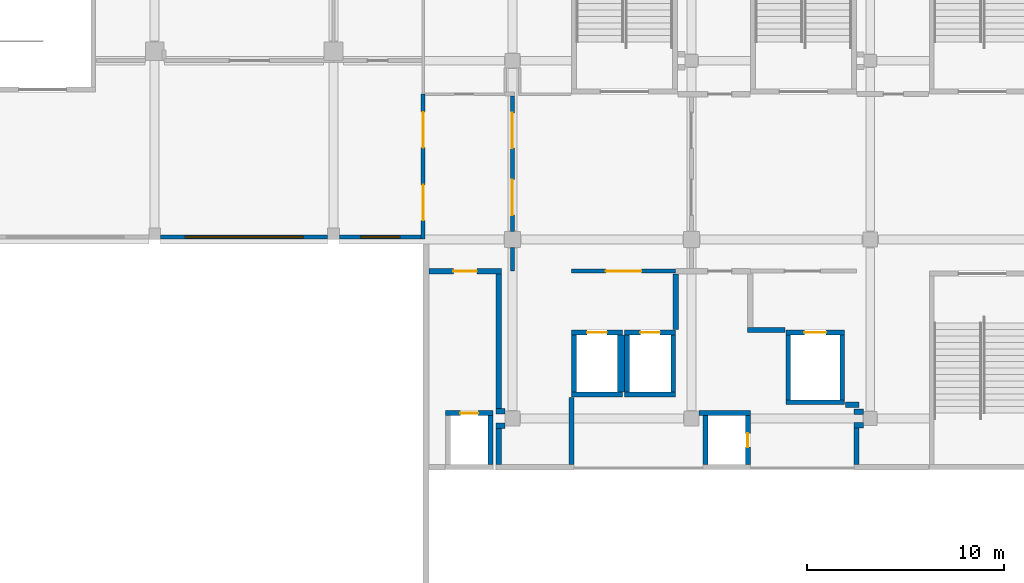
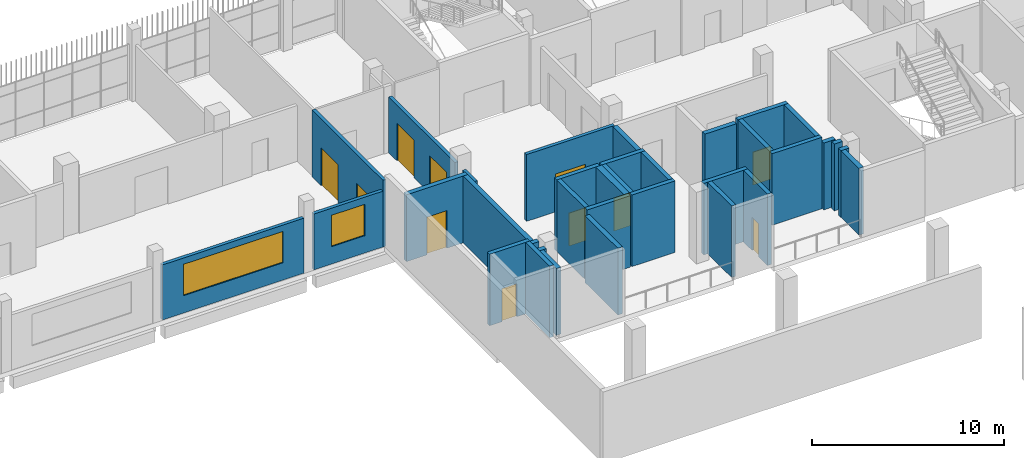
# One storey, part 64 of 104: 35 walls, 11 doors, 2 windows, 13 openings.
"""IFC4 building model written with IfcOpenShell, lengths in metres."""

from ifc_helpers import new_model, si_unit, direction, frame, frame_2d, origin, place, context, subcontext, project, spatial, rectangle, extrude, material, layer, layer_set, type_object, element, fill, save


model = new_model("IFC4")

# Units and contexts
model_context = context("Model", 3, precision=1e-05, world=origin(), true_north=direction((0.0, 1.0)))
body_context = subcontext(model_context, "Body", "Model", "MODEL_VIEW")
ifc_project = project(units=[si_unit("LENGTHUNIT", "METRE"), si_unit("AREAUNIT", "SQUARE_METRE"), si_unit("VOLUMEUNIT", "CUBIC_METRE"), si_unit("PLANEANGLEUNIT", "RADIAN"), si_unit("MASSUNIT", "GRAM", prefix="KILO")], contexts=[model_context])

# Site, building, storey
site_placement = place(None, origin())
site = spatial("IfcSite", under=ifc_project, at=site_placement, CompositionType="ELEMENT")
building_placement = place(site_placement, origin())
building = spatial("IfcBuilding", under=site, at=building_placement, Name="Shirokan Park Arena", CompositionType="ELEMENT")
storey_placement = place(building_placement, frame((0.0, 0.0, 10.919921875)))
storey = spatial("IfcBuildingStorey", under=building, at=storey_placement, Name="L02", CompositionType="ELEMENT", Elevation=10.919921875)

# Wall, opening, window
ifc_material_1 = material(Name="Cedar timber lining", Category="wood")
ifc_layer_1 = layer(ifc_material_1, 0.02001953125, Name="Cedar timber lining")
ifc_material_2 = material(Name="Plywood", Category="wood")
ifc_layer_2 = layer(ifc_material_2, 0.01806640625, Name="Plywood")
ifc_material_3 = material(Name="Mineral wool insulation")
ifc_layer_3 = layer(ifc_material_3, 0.14208984375, Name="Mineral wool insulation")
ifc_material_4 = material(Name="Gypsum board")
ifc_layer_4 = layer(ifc_material_4, 0.02001953125, Name="Gypsum board")
ifc_layer_set_1 = layer_set([ifc_layer_1, ifc_layer_2, ifc_layer_3, ifc_layer_4], Name="Cedar timber lining + Plywood + Mineral wool insulation + Gypsum board")
wall_type_1 = type_object("IfcWallType", Name="Bowl front wall 200", PredefinedType="PARTITIONING", material=ifc_layer_set_1)
wall_1_placement = place(storey_placement, frame((104.550048828125, 91.1298828125, 0.0), z_axis=(0.0, 0.0, 1.0), x_axis=(-1.0, 0.0, 0.0)))
wall_1 = element("IfcWall", 1, at=wall_1_placement, inside=storey, type_object=wall_type_1, Name="Bowl front wall 200 L02", PredefinedType="PARTITIONING", context=body_context, shape_type="SweptSolid", body=[
    extrude(rectangle(XDim=4.150146484375, YDim=0.199951171875, at=frame_2d((2.0751953125, 0.0))), origin(), (0.0, 0.0, 1.0), 3.550048828125),
])
opening_1_placement = place(wall_1_placement, frame((1.074951171875, 0.0, 1.10009765625)))
opening_1 = element("IfcOpeningElement", 2, at=opening_1_placement, cuts=wall_1, Name="Opening W5", PredefinedType="OPENING", context=body_context, shape_type="SweptSolid", body=[
    extrude(rectangle(XDim=2.0, YDim=2.0, at=frame_2d((1.0, 1.0))), frame((0.0, 0.10986328125, 0.0), z_axis=(0.0, -1.0, 0.0), x_axis=(1.0, 0.0, 0.0)), (0.0, 0.0, 1.0), 0.219970703125),
])
ifc_material_5 = material(Name="Aluminium frame with laminated glass", Category="aluminium")
window_type_1 = type_object("IfcWindowType", Name="Lounge viewing window 2000 x 2000", PartitioningType="SINGLE_PANEL", PredefinedType="WINDOW", material=ifc_material_5)
window_1_placement = place(opening_1_placement, origin())
window_1 = element("IfcWindow", 3, at=window_1_placement, inside=storey, type_object=window_type_1, Name="Lounge viewing window 2000 x 2000 L02", OverallHeight=2.0, OverallWidth=2.0, PartitioningType="SINGLE_PANEL", PredefinedType="WINDOW", context=body_context, shape_type="SweptSolid", body=[
    extrude(rectangle(XDim=2.0, YDim=2.0, at=frame_2d((1.0, 1.0))), frame((0.0, 0.030029296875, 0.0), z_axis=(0.0, -1.0, 0.0), x_axis=(1.0, 0.0, 0.0)), (0.0, 0.0, 1.0), 0.06005859375),
])
fill(opening_1, window_1)

wall_2_placement = place(storey_placement, frame((99.800048828125, 91.1298828125, 0.0), z_axis=(0.0, 0.0, 1.0), x_axis=(-1.0, 0.0, 0.0)))
wall_2 = element("IfcWall", 4, at=wall_2_placement, inside=storey, type_object=wall_type_1, Name="Bowl front wall 200 L02", PredefinedType="PARTITIONING", context=body_context, shape_type="SweptSolid", body=[
    extrude(rectangle(XDim=8.5, YDim=0.199951171875, at=frame_2d((4.25, 0.0))), origin(), (0.0, 0.0, 1.0), 3.5),
])
opening_2_placement = place(wall_2_placement, frame((1.25, 0.0, 1.10009765625)))
opening_2 = element("IfcOpeningElement", 5, at=opening_2_placement, cuts=wall_2, Name="Opening W6", PredefinedType="OPENING", context=body_context, shape_type="SweptSolid", body=[
    extrude(rectangle(XDim=6.0, YDim=2.0, at=frame_2d((3.0, 1.0))), frame((0.0, 0.10986328125, 0.0), z_axis=(0.0, -1.0, 0.0), x_axis=(1.0, 0.0, 0.0)), (0.0, 0.0, 1.0), 0.219970703125),
])
window_type_2 = type_object("IfcWindowType", Name="Lounge viewing window 6000 x 2000", PartitioningType="SINGLE_PANEL", PredefinedType="WINDOW", material=ifc_material_5)
window_2_placement = place(opening_2_placement, origin())
window_2 = element("IfcWindow", 6, at=window_2_placement, inside=storey, type_object=window_type_2, Name="Lounge viewing window 6000 x 2000 L02", OverallHeight=2.0, OverallWidth=6.0, PartitioningType="SINGLE_PANEL", PredefinedType="WINDOW", context=body_context, shape_type="SweptSolid", body=[
    extrude(rectangle(XDim=6.0, YDim=2.0, at=frame_2d((3.0, 1.0))), frame((0.0, 0.030029296875, 0.0), z_axis=(0.0, -1.0, 0.0), x_axis=(1.0, 0.0, 0.0)), (0.0, 0.0, 1.0), 0.06005859375),
])
fill(opening_2, window_2)

# Wall, openings, doors
ifc_layer_5 = layer(ifc_material_4, 0.02490234375, Name="Gypsum board, two layers")
ifc_layer_6 = layer(ifc_material_3, 0.14990234375, Name="Mineral wool insulation")
ifc_layer_7 = layer(ifc_material_4, 0.02490234375, Name="Gypsum board, two layers")
ifc_layer_set_2 = layer_set([ifc_layer_5, ifc_layer_6, ifc_layer_7], Name="Gypsum board, two layers + Mineral wool insulation")
wall_type_2 = type_object("IfcWallType", Name="Corridor wall 200", PredefinedType="PARTITIONING", material=ifc_layer_set_2)
wall_3_placement = place(storey_placement, frame((104.64990234375, 91.030029296875, 0.0), z_axis=(0.0, 0.0, 1.0), x_axis=(0.0, 1.0, 0.0)))
wall_3 = element("IfcWall", 7, at=wall_3_placement, inside=storey, type_object=wall_type_2, Name="Corridor wall 200 L02", PredefinedType="PARTITIONING", context=body_context, shape_type="SweptSolid", body=[
    extrude(rectangle(XDim=7.369873046875, YDim=0.199951171875, at=frame_2d((3.68505859375, 0.0))), origin(), (0.0, 0.0, 1.0), 4.25),
])
opening_3_placement = place(wall_3_placement, frame((0.949951171875, 0.0, 0.0)))
opening_3 = element("IfcOpeningElement", 8, at=opening_3_placement, cuts=wall_3, Name="Opening D-2071", PredefinedType="OPENING", context=body_context, shape_type="SweptSolid", body=[
    extrude(rectangle(XDim=1.800048828125, YDim=2.39990234375, at=frame_2d((0.89990234375, 1.199951171875))), frame((0.0, 0.10986328125, 0.0), z_axis=(0.0, -1.0, 0.0), x_axis=(1.0, 0.0, 0.0)), (0.0, 0.0, 1.0), 0.219970703125),
])
opening_4_placement = place(wall_3_placement, frame((4.64990234375, 0.0, 0.0)))
opening_4 = element("IfcOpeningElement", 9, at=opening_4_placement, cuts=wall_3, Name="Opening D-2072", PredefinedType="OPENING", context=body_context, shape_type="SweptSolid", body=[
    extrude(rectangle(XDim=1.800048828125, YDim=2.39990234375, at=frame_2d((0.89990234375, 1.199951171875))), frame((0.0, 0.10986328125, 0.0), z_axis=(0.0, -1.0, 0.0), x_axis=(1.0, 0.0, 0.0)), (0.0, 0.0, 1.0), 0.219970703125),
])
ifc_material_6 = material(Name="Glazed steel door set, fire resisting", Category="steel")
door_type_1 = type_object("IfcDoorType", Name="Lift lobby door 1800 x 2400", OperationType="DOUBLE_DOOR_SINGLE_SWING", PredefinedType="DOOR", material=ifc_material_6)
door_1_placement = place(opening_3_placement, origin())
door_1 = element("IfcDoor", 10, at=door_1_placement, inside=storey, type_object=door_type_1, Name="Door between Stair Lobby 3.2.4 and Club Lounge 2.03 D-2071", OperationType="DOUBLE_DOOR_SINGLE_SWING", OverallHeight=2.39990234375, OverallWidth=1.800048828125, PredefinedType="DOOR", context=body_context, shape_type="SweptSolid", body=[
    extrude(rectangle(XDim=1.800048828125, YDim=2.39990234375, at=frame_2d((0.89990234375, 1.199951171875))), frame((0.0, 0.02490234375, 0.0), z_axis=(0.0, -1.0, 0.0), x_axis=(1.0, 0.0, 0.0)), (0.0, 0.0, 1.0), 0.050048828125),
])
fill(opening_3, door_1)
door_2_placement = place(opening_4_placement, origin())
door_2 = element("IfcDoor", 11, at=door_2_placement, inside=storey, type_object=door_type_1, Name="Door between Stair Lobby 3.2.4 and Club Lounge 2.03 D-2072", OperationType="DOUBLE_DOOR_SINGLE_SWING", OverallHeight=2.39990234375, OverallWidth=1.800048828125, PredefinedType="DOOR", context=body_context, shape_type="SweptSolid", body=[
    extrude(rectangle(XDim=1.800048828125, YDim=2.39990234375, at=frame_2d((0.89990234375, 1.199951171875))), frame((0.0, 0.02490234375, 0.0), z_axis=(0.0, -1.0, 0.0), x_axis=(1.0, 0.0, 0.0)), (0.0, 0.0, 1.0), 0.050048828125),
])
fill(opening_4, door_2)

# Wall
wall_4_placement = place(storey_placement, frame((109.199951171875, 89.39990234375, 0.0), z_axis=(0.0, 0.0, 1.0), x_axis=(0.0, 1.0, 0.0)))
element("IfcWall", 12, at=wall_4_placement, inside=storey, type_object=wall_type_2, Name="Corridor wall 200 L02", PredefinedType="PARTITIONING", context=body_context, shape_type="SweptSolid", body=[
    extrude(rectangle(XDim=1.2001953125, YDim=0.199951171875, at=frame_2d((0.60009765625, 0.0))), origin(), (0.0, 0.0, 1.0), 3.550048828125),
])

# Wall, openings, doors
wall_5_placement = place(storey_placement, frame((109.199951171875, 91.39990234375, 0.0), z_axis=(0.0, 0.0, 1.0), x_axis=(0.0, 1.0, 0.0)))
wall_5 = element("IfcWall", 13, at=wall_5_placement, inside=storey, type_object=wall_type_2, Name="Corridor wall 200 L02", PredefinedType="PARTITIONING", context=body_context, shape_type="SweptSolid", body=[
    extrude(rectangle(XDim=6.900146484375, YDim=0.199951171875, at=frame_2d((3.4501953125, 0.0))), origin(), (0.0, 0.0, 1.0), 3.550048828125),
])
opening_5_placement = place(wall_5_placement, frame((0.85009765625, 0.0, 0.0)))
opening_5 = element("IfcOpeningElement", 14, at=opening_5_placement, cuts=wall_5, Name="Opening D-2068", PredefinedType="OPENING", context=body_context, shape_type="SweptSolid", body=[
    extrude(rectangle(XDim=1.800048828125, YDim=2.39990234375, at=frame_2d((0.89990234375, 1.199951171875))), frame((0.0, 0.10986328125, 0.0), z_axis=(0.0, -1.0, 0.0), x_axis=(1.0, 0.0, 0.0)), (0.0, 0.0, 1.0), 0.219970703125),
])
opening_6_placement = place(wall_5_placement, frame((4.25, 0.0, 0.0)))
opening_6 = element("IfcOpeningElement", 15, at=opening_6_placement, cuts=wall_5, Name="Opening D-2069", PredefinedType="OPENING", context=body_context, shape_type="SweptSolid", body=[
    extrude(rectangle(XDim=1.800048828125, YDim=2.39990234375, at=frame_2d((0.89990234375, 1.199951171875))), frame((0.0, 0.10986328125, 0.0), z_axis=(0.0, -1.0, 0.0), x_axis=(1.0, 0.0, 0.0)), (0.0, 0.0, 1.0), 0.219970703125),
])
door_3_placement = place(opening_5_placement, origin())
door_3 = element("IfcDoor", 16, at=door_3_placement, inside=storey, type_object=door_type_1, Name="Door between Club Reception 3.2.3 and Stair Lobby 3.2.4 D-2068", OperationType="DOUBLE_DOOR_SINGLE_SWING", OverallHeight=2.39990234375, OverallWidth=1.800048828125, PredefinedType="DOOR", context=body_context, shape_type="SweptSolid", body=[
    extrude(rectangle(XDim=1.800048828125, YDim=2.39990234375, at=frame_2d((0.89990234375, 1.199951171875))), frame((0.0, 0.02490234375, 0.0), z_axis=(0.0, -1.0, 0.0), x_axis=(1.0, 0.0, 0.0)), (0.0, 0.0, 1.0), 0.050048828125),
])
fill(opening_5, door_3)
door_4_placement = place(opening_6_placement, origin())
door_4 = element("IfcDoor", 17, at=door_4_placement, inside=storey, type_object=door_type_1, Name="Door between Club Reception 3.2.3 and Stair Lobby 3.2.4 D-2069", OperationType="DOUBLE_DOOR_SINGLE_SWING", OverallHeight=2.39990234375, OverallWidth=1.800048828125, PredefinedType="DOOR", context=body_context, shape_type="SweptSolid", body=[
    extrude(rectangle(XDim=1.800048828125, YDim=2.39990234375, at=frame_2d((0.89990234375, 1.199951171875))), frame((0.0, 0.02490234375, 0.0), z_axis=(0.0, -1.0, 0.0), x_axis=(1.0, 0.0, 0.0)), (0.0, 0.0, 1.0), 0.050048828125),
])
fill(opening_6, door_4)

# Wall, opening, door
wall_6_placement = place(storey_placement, frame((117.5, 89.39990234375, 0.0), z_axis=(0.0, 0.0, 1.0), x_axis=(-1.0, 0.0, 0.0)))
wall_6 = element("IfcWall", 18, at=wall_6_placement, inside=storey, type_object=wall_type_2, Name="Corridor wall 200 L02", PredefinedType="PARTITIONING", context=body_context, shape_type="SweptSolid", body=[
    extrude(rectangle(XDim=5.300048828125, YDim=0.199951171875, at=frame_2d((2.64990234375, 0.0))), origin(), (0.0, 0.0, 1.0), 4.25),
])
opening_7_placement = place(wall_6_placement, frame((1.75, 0.0, 0.0)))
opening_7 = element("IfcOpeningElement", 19, at=opening_7_placement, cuts=wall_6, Name="Opening D-2070", PredefinedType="OPENING", context=body_context, shape_type="SweptSolid", body=[
    extrude(rectangle(XDim=1.800048828125, YDim=2.39990234375, at=frame_2d((0.89990234375, 1.199951171875))), frame((0.0, 0.10986328125, 0.0), z_axis=(0.0, -1.0, 0.0), x_axis=(1.0, 0.0, 0.0)), (0.0, 0.0, 1.0), 0.219970703125),
])
door_5_placement = place(opening_7_placement, origin())
door_5 = element("IfcDoor", 20, at=door_5_placement, inside=storey, type_object=door_type_1, Name="Door between Club Reception 3.2.3 and Lift Lobby 3.2 D-2070", OperationType="DOUBLE_DOOR_SINGLE_SWING", OverallHeight=2.39990234375, OverallWidth=1.800048828125, PredefinedType="DOOR", context=body_context, shape_type="SweptSolid", body=[
    extrude(rectangle(XDim=1.800048828125, YDim=2.39990234375, at=frame_2d((0.89990234375, 1.199951171875))), frame((0.0, 0.02490234375, 0.0), z_axis=(0.0, -1.0, 0.0), x_axis=(1.0, 0.0, 0.0)), (0.0, 0.0, 1.0), 0.050048828125),
])
fill(opening_7, door_5)

# Walls
ifc_material_7 = material(Name="Plaster")
ifc_layer_8 = layer(ifc_material_7, 0.012451171875, Name="Plaster")
ifc_material_8 = material(Name="Concrete blockwork", Category="masonry")
ifc_layer_9 = layer(ifc_material_8, 0.25, Name="Concrete blockwork 250")
ifc_layer_10 = layer(ifc_material_7, 0.012451171875, Name="Plaster")
ifc_layer_set_3 = layer_set([ifc_layer_8, ifc_layer_9, ifc_layer_10], Name="Plaster + Concrete blockwork 250")
wall_type_3 = type_object("IfcWallType", Name="Plant room wall 275", PredefinedType="SOLIDWALL", material=ifc_layer_set_3)
wall_7_placement = place(storey_placement, frame((108.362548828125, 81.52490234375, 0.0), z_axis=(0.0, 0.0, 1.0), x_axis=(1.0, 0.0, 0.0)))
element("IfcWall", 21, at=wall_7_placement, inside=storey, type_object=wall_type_3, Name="Plant room wall 275 L02", PredefinedType="SOLIDWALL", context=body_context, shape_type="SweptSolid", body=[
    extrude(rectangle(XDim=0.46240234375, YDim=0.27490234375, at=frame_2d((0.231201171875, 0.0))), origin(), (0.0, 0.0, 1.0), 4.25),
])
wall_8_placement = place(storey_placement, frame((108.5, 79.5625, 0.0), z_axis=(0.0, 0.0, 1.0), x_axis=(0.0, 1.0, 0.0)))
element("IfcWall", 22, at=wall_8_placement, inside=storey, type_object=wall_type_3, Name="Plant room wall 275 L02", PredefinedType="SOLIDWALL", context=body_context, shape_type="SweptSolid", body=[
    extrude(rectangle(XDim=1.824951171875, YDim=0.27490234375, at=frame_2d((0.91259765625, 0.0))), origin(), (0.0, 0.0, 1.0), 4.25),
])
wall_9_placement = place(storey_placement, frame((108.5, 82.41259765625, 0.0), z_axis=(0.0, 0.0, 1.0), x_axis=(0.0, 1.0, 0.0)))
element("IfcWall", 23, at=wall_9_placement, inside=storey, type_object=wall_type_3, Name="Plant room wall 275 L02", PredefinedType="SOLIDWALL", context=body_context, shape_type="SweptSolid", body=[
    extrude(rectangle(XDim=6.849853515625, YDim=0.27490234375, at=frame_2d((3.4248046875, 0.0))), origin(), (0.0, 0.0, 1.0), 4.25),
])

# Wall, opening, door
wall_10_placement = place(storey_placement, frame((108.637451171875, 89.39990234375, 0.0), z_axis=(0.0, 0.0, 1.0), x_axis=(-1.0, 0.0, 0.0)))
wall_10 = element("IfcWall", 24, at=wall_10_placement, inside=storey, type_object=wall_type_3, Name="Plant room wall 275 L02", PredefinedType="SOLIDWALL", context=body_context, shape_type="SweptSolid", body=[
    extrude(rectangle(XDim=3.6875, YDim=0.27490234375, at=frame_2d((1.84375, 0.0))), origin(), (0.0, 0.0, 1.0), 4.25),
])
opening_8_placement = place(wall_10_placement, frame((1.25, 0.0, 0.0)))
opening_8 = element("IfcOpeningElement", 25, at=opening_8_placement, cuts=wall_10, Name="Opening D-2019", PredefinedType="OPENING", context=body_context, shape_type="SweptSolid", body=[
    extrude(rectangle(XDim=1.199951171875, YDim=2.39990234375, at=frame_2d((0.60009765625, 1.199951171875))), frame((0.0, 0.1474609375, 0.0), z_axis=(0.0, -1.0, 0.0), x_axis=(1.0, 0.0, 0.0)), (0.0, 0.0, 1.0), 0.294921875),
])
ifc_material_9 = material(Name="Louvred steel door set, fire resisting", Category="steel")
door_type_2 = type_object("IfcDoorType", Name="Plant room door 1200 x 2400", OperationType="SINGLE_SWING_LEFT", PredefinedType="DOOR", material=ifc_material_9)
door_6_placement = place(opening_8_placement, origin())
door_6 = element("IfcDoor", 26, at=door_6_placement, inside=storey, type_object=door_type_2, Name="Door to Communications Room 2.39 D-2019", OperationType="SINGLE_SWING_LEFT", OverallHeight=2.39990234375, OverallWidth=1.199951171875, PredefinedType="DOOR", context=body_context, shape_type="SweptSolid", body=[
    extrude(rectangle(XDim=1.199951171875, YDim=2.39990234375, at=frame_2d((0.60009765625, 1.199951171875))), frame((0.0, 0.02490234375, 0.0), z_axis=(0.0, -1.0, 0.0), x_axis=(1.0, 0.0, 0.0)), (0.0, 0.0, 1.0), 0.050048828125),
])
fill(opening_8, door_6)

# Walls
wall_11_placement = place(storey_placement, frame((108.824951171875, 82.27490234375, 0.0), z_axis=(0.0, 0.0, 1.0), x_axis=(-1.0, 0.0, 0.0)))
element("IfcWall", 27, at=wall_11_placement, inside=storey, type_object=wall_type_3, Name="Plant room wall 275 L02", PredefinedType="SOLIDWALL", context=body_context, shape_type="SweptSolid", body=[
    extrude(rectangle(XDim=0.46240234375, YDim=0.27490234375, at=frame_2d((0.231201171875, 0.0))), origin(), (0.0, 0.0, 1.0), 4.25),
])
wall_12_placement = place(storey_placement, frame((112.199951171875, 79.5625, 0.0), z_axis=(0.0, 0.0, 1.0), x_axis=(0.0, 1.0, 0.0)))
element("IfcWall", 28, at=wall_12_placement, inside=storey, type_object=wall_type_3, Name="Plant room wall 275 L02", PredefinedType="SOLIDWALL", context=body_context, shape_type="SweptSolid", body=[
    extrude(rectangle(XDim=3.407470703125, YDim=0.27490234375, at=frame_2d((1.70361328125, 0.0))), origin(), (0.0, 0.0, 1.0), 4.25),
])
wall_13_placement = place(storey_placement, frame((117.5, 86.429931640625, 0.0), z_axis=(0.0, 0.0, 1.0), x_axis=(0.0, 1.0, 0.0)))
element("IfcWall", 29, at=wall_13_placement, inside=storey, type_object=wall_type_3, Name="Plant room wall 275 L02", PredefinedType="SOLIDWALL", context=body_context, shape_type="SweptSolid", body=[
    extrude(rectangle(XDim=2.83251953125, YDim=0.27490234375, at=frame_2d((1.416259765625, 0.0))), origin(), (0.0, 0.0, 1.0), 4.25),
])
wall_14_placement = place(storey_placement, frame((121.16259765625, 86.39990234375, 0.0), z_axis=(0.0, 0.0, 1.0), x_axis=(1.0, 0.0, 0.0)))
element("IfcWall", 30, at=wall_14_placement, inside=storey, type_object=wall_type_3, Name="Plant room wall 275 L02", PredefinedType="SOLIDWALL", context=body_context, shape_type="SweptSolid", body=[
    extrude(rectangle(XDim=1.907470703125, YDim=0.27490234375, at=frame_2d((0.95361328125, 0.0))), origin(), (0.0, 0.0, 1.0), 4.25),
])
wall_15_placement = place(storey_placement, frame((126.1298828125, 82.60009765625, 0.0), z_axis=(0.0, 0.0, 1.0), x_axis=(1.0, 0.0, 0.0)))
element("IfcWall", 31, at=wall_15_placement, inside=storey, type_object=wall_type_3, Name="Plant room wall 275 L02", PredefinedType="SOLIDWALL", context=body_context, shape_type="SweptSolid", body=[
    extrude(rectangle(XDim=0.70751953125, YDim=0.27490234375, at=frame_2d((0.353759765625, 0.0))), origin(), (0.0, 0.0, 1.0), 4.25),
])
wall_16_placement = place(storey_placement, frame((126.5625, 81.550048828125, 0.0), z_axis=(0.0, 0.0, 1.0), x_axis=(1.0, 0.0, 0.0)))
element("IfcWall", 32, at=wall_16_placement, inside=storey, type_object=wall_type_3, Name="Plant room wall 275 L02", PredefinedType="SOLIDWALL", context=body_context, shape_type="SweptSolid", body=[
    extrude(rectangle(XDim=0.487548828125, YDim=0.27490234375, at=frame_2d((0.24365234375, 0.0))), origin(), (0.0, 0.0, 1.0), 4.25),
])
wall_17_placement = place(storey_placement, frame((126.699951171875, 79.5625, 0.0), z_axis=(0.0, 0.0, 1.0), x_axis=(0.0, 1.0, 0.0)))
element("IfcWall", 33, at=wall_17_placement, inside=storey, type_object=wall_type_3, Name="Plant room wall 275 L02", PredefinedType="SOLIDWALL", context=body_context, shape_type="SweptSolid", body=[
    extrude(rectangle(XDim=1.85009765625, YDim=0.27490234375, at=frame_2d((0.925048828125, 0.0))), origin(), (0.0, 0.0, 1.0), 4.25),
])
wall_18_placement = place(storey_placement, frame((127.050048828125, 82.25, 0.0), z_axis=(0.0, 0.0, 1.0), x_axis=(-1.0, 0.0, 0.0)))
element("IfcWall", 34, at=wall_18_placement, inside=storey, type_object=wall_type_3, Name="Plant room wall 275 L02", PredefinedType="SOLIDWALL", context=body_context, shape_type="SweptSolid", body=[
    extrude(rectangle(XDim=0.487548828125, YDim=0.27490234375, at=frame_2d((0.24365234375, 0.0))), origin(), (0.0, 0.0, 1.0), 4.25),
])
ifc_material_10 = material(Name="Concrete C40/50", Category="concrete")
ifc_layer_11 = layer(ifc_material_10, 0.25)
ifc_layer_set_4 = layer_set([ifc_layer_11], Name="Concrete C40/50 250 mm")
wall_type_4 = type_object("IfcWallType", Name="RC shear wall 250", PredefinedType="SHEAR", material=ifc_layer_set_4)
wall_19_placement = place(storey_placement, frame((117.5, 83.125, 0.0), z_axis=(0.0, 0.0, 1.0), x_axis=(-1.0, 0.0, 0.0)))
element("IfcWall", 35, at=wall_19_placement, inside=storey, type_object=wall_type_4, Name="Shaft wall Passenger Lift 3.1 S L02", PredefinedType="SHEAR", context=body_context, shape_type="SweptSolid", body=[
    extrude(rectangle(XDim=2.60009765625, YDim=0.25, at=frame_2d((1.300048828125, 0.0))), origin(), (0.0, 0.0, 1.0), 4.550048828125),
])

# Wall, opening, door
wall_20_placement = place(storey_placement, frame((117.5, 86.27490234375, 0.0), z_axis=(0.0, 0.0, 1.0), x_axis=(-1.0, 0.0, 0.0)))
wall_20 = element("IfcWall", 36, at=wall_20_placement, inside=storey, type_object=wall_type_4, Name="Shaft wall Passenger Lift 3.1 N L02", PredefinedType="SHEAR", context=body_context, shape_type="SweptSolid", body=[
    extrude(rectangle(XDim=2.60009765625, YDim=0.25, at=frame_2d((1.300048828125, 0.0))), origin(), (0.0, 0.0, 1.0), 4.550048828125),
])
opening_9_placement = place(wall_20_placement, frame((0.800048828125, 0.0, 0.0)))
opening_9 = element("IfcOpeningElement", 37, at=opening_9_placement, cuts=wall_20, Name="Opening LD27", PredefinedType="OPENING", context=body_context, shape_type="SweptSolid", body=[
    extrude(rectangle(XDim=1.0, YDim=2.10009765625, at=frame_2d((0.5, 1.050048828125))), frame((0.0, 0.135009765625, 0.0), z_axis=(0.0, -1.0, 0.0), x_axis=(1.0, 0.0, 0.0)), (0.0, 0.0, 1.0), 0.27001953125),
])
ifc_material_11 = material(Name="Stainless steel", Category="steel")
door_type_3 = type_object("IfcDoorType", Name="Lift landing door 1000x2100", OperationType="DOUBLE_DOOR_SLIDING", PredefinedType="DOOR", material=ifc_material_11)
door_7_placement = place(opening_9_placement, origin())
door_7 = element("IfcDoor", 38, at=door_7_placement, inside=storey, type_object=door_type_3, Name="Lift landing door Passenger Lift 3.1 L02", OperationType="DOUBLE_DOOR_SLIDING", OverallHeight=2.10009765625, OverallWidth=1.0, PredefinedType="DOOR", context=body_context, shape_type="SweptSolid", body=[
    extrude(rectangle(XDim=1.0, YDim=2.10009765625, at=frame_2d((0.5, 1.050048828125))), frame((0.0, 0.02490234375, 0.0), z_axis=(0.0, -1.0, 0.0), x_axis=(1.0, 0.0, 0.0)), (0.0, 0.0, 1.0), 0.050048828125),
])
fill(opening_9, door_7)

# Walls
for number, where, z_axis, x_axis, name in (
    (39, (115.02490234375, 86.14990234375, 0.0), (0.0, 0.0, 1.0), (0.0, -1.0, 0.0), "Shaft wall Passenger Lift 3.1 W L02"),
    (40, (117.375, 86.14990234375, 0.0), (0.0, 0.0, 1.0), (0.0, -1.0, 0.0), "Shaft wall Passenger Lift 3.1 E L02"),
):
    element("IfcWall", number, at=place(storey_placement, frame(where, z_axis=z_axis, x_axis=x_axis)), inside=storey, type_object=wall_type_4, Name=name, PredefinedType="SHEAR", context=body_context, shape_type="SweptSolid", body=[
        extrude(rectangle(XDim=2.89990234375, YDim=0.25, at=frame_2d((1.449951171875, 0.0))), origin(), (0.0, 0.0, 1.0), 4.550048828125),
    ])
wall_21_placement = place(storey_placement, frame((114.800048828125, 83.125, 0.0), z_axis=(0.0, 0.0, 1.0), x_axis=(-1.0, 0.0, 0.0)))
element("IfcWall", 41, at=wall_21_placement, inside=storey, type_object=wall_type_4, Name="Shaft wall Passenger Lift 3.2 S L02", PredefinedType="SHEAR", context=body_context, shape_type="SweptSolid", body=[
    extrude(rectangle(XDim=2.60009765625, YDim=0.25, at=frame_2d((1.300048828125, 0.0))), origin(), (0.0, 0.0, 1.0), 4.550048828125),
])

# Wall, opening, door
wall_22_placement = place(storey_placement, frame((114.800048828125, 86.27490234375, 0.0), z_axis=(0.0, 0.0, 1.0), x_axis=(-1.0, 0.0, 0.0)))
wall_22 = element("IfcWall", 42, at=wall_22_placement, inside=storey, type_object=wall_type_4, Name="Shaft wall Passenger Lift 3.2 N L02", PredefinedType="SHEAR", context=body_context, shape_type="SweptSolid", body=[
    extrude(rectangle(XDim=2.60009765625, YDim=0.25, at=frame_2d((1.300048828125, 0.0))), origin(), (0.0, 0.0, 1.0), 4.550048828125),
])
opening_10_placement = place(wall_22_placement, frame((0.800048828125, 0.0, 0.0)))
opening_10 = element("IfcOpeningElement", 43, at=opening_10_placement, cuts=wall_22, Name="Opening LD33", PredefinedType="OPENING", context=body_context, shape_type="SweptSolid", body=[
    extrude(rectangle(XDim=1.0, YDim=2.10009765625, at=frame_2d((0.5, 1.050048828125))), frame((0.0, 0.135009765625, 0.0), z_axis=(0.0, -1.0, 0.0), x_axis=(1.0, 0.0, 0.0)), (0.0, 0.0, 1.0), 0.27001953125),
])
door_8_placement = place(opening_10_placement, origin())
door_8 = element("IfcDoor", 44, at=door_8_placement, inside=storey, type_object=door_type_3, Name="Lift landing door Passenger Lift 3.2 L02", OperationType="DOUBLE_DOOR_SLIDING", OverallHeight=2.10009765625, OverallWidth=1.0, PredefinedType="DOOR", context=body_context, shape_type="SweptSolid", body=[
    extrude(rectangle(XDim=1.0, YDim=2.10009765625, at=frame_2d((0.5, 1.050048828125))), frame((0.0, 0.02490234375, 0.0), z_axis=(0.0, -1.0, 0.0), x_axis=(1.0, 0.0, 0.0)), (0.0, 0.0, 1.0), 0.050048828125),
])
fill(opening_10, door_8)

# Wall
wall_23_placement = place(storey_placement, frame((112.324951171875, 86.14990234375, 0.0), z_axis=(0.0, 0.0, 1.0), x_axis=(0.0, -1.0, 0.0)))
element("IfcWall", 45, at=wall_23_placement, inside=storey, type_object=wall_type_4, Name="Shaft wall Passenger Lift 3.2 W L02", PredefinedType="SHEAR", context=body_context, shape_type="SweptSolid", body=[
    extrude(rectangle(XDim=2.89990234375, YDim=0.25, at=frame_2d((1.449951171875, 0.0))), origin(), (0.0, 0.0, 1.0), 4.550048828125),
])

# Wall, opening, door
wall_24_placement = place(storey_placement, frame((108.199951171875, 82.175048828125, 0.0), z_axis=(0.0, 0.0, 1.0), x_axis=(-1.0, 0.0, 0.0)))
wall_24 = element("IfcWall", 46, at=wall_24_placement, inside=storey, type_object=wall_type_4, Name="Shaft wall Services Riser 3.1 N L02", PredefinedType="SHEAR", context=body_context, shape_type="SweptSolid", body=[
    extrude(rectangle(XDim=2.39990234375, YDim=0.25, at=frame_2d((1.199951171875, 0.0))), origin(), (0.0, 0.0, 1.0), 4.550048828125),
])
opening_11_placement = place(wall_24_placement, frame((0.75, 0.0, 0.0)))
opening_11 = element("IfcOpeningElement", 47, at=opening_11_placement, cuts=wall_24, Name="Opening D-2087", PredefinedType="OPENING", context=body_context, shape_type="SweptSolid", body=[
    extrude(rectangle(XDim=0.89990234375, YDim=2.10009765625, at=frame_2d((0.449951171875, 1.050048828125))), frame((0.0, 0.135009765625, 0.0), z_axis=(0.0, -1.0, 0.0), x_axis=(1.0, 0.0, 0.0)), (0.0, 0.0, 1.0), 0.27001953125),
])
ifc_material_12 = material(Name="Steel door set, fire resisting", Category="steel")
door_type_4 = type_object("IfcDoorType", Name="Electrical riser door 900 x 2100", OperationType="SINGLE_SWING_LEFT", PredefinedType="DOOR", material=ifc_material_12)
door_9_placement = place(opening_11_placement, origin())
door_9 = element("IfcDoor", 48, at=door_9_placement, inside=storey, type_object=door_type_4, Name="Riser access door Services Riser 3.1 D-2087", OperationType="SINGLE_SWING_RIGHT", OverallHeight=2.10009765625, OverallWidth=0.89990234375, PredefinedType="DOOR", context=body_context, shape_type="SweptSolid", body=[
    extrude(rectangle(XDim=0.89990234375, YDim=2.10009765625, at=frame_2d((0.449951171875, 1.050048828125))), frame((0.0, 0.02490234375, 0.0), z_axis=(0.0, -1.0, 0.0), x_axis=(1.0, 0.0, 0.0)), (0.0, 0.0, 1.0), 0.050048828125),
])
fill(opening_11, door_9)

# Walls
wall_25_placement = place(storey_placement, frame((108.074951171875, 82.050048828125, 0.0), z_axis=(0.0, 0.0, 1.0), x_axis=(0.0, -1.0, 0.0)))
element("IfcWall", 49, at=wall_25_placement, inside=storey, type_object=wall_type_4, Name="Shaft wall Services Riser 3.1 E L02", PredefinedType="SHEAR", context=body_context, shape_type="SweptSolid", body=[
    extrude(rectangle(XDim=2.5, YDim=0.25, at=frame_2d((1.25, 0.0))), origin(), (0.0, 0.0, 1.0), 4.550048828125),
])
wall_26_placement = place(storey_placement, frame((121.300048828125, 82.175048828125, 0.0), z_axis=(0.0, 0.0, 1.0), x_axis=(-1.0, 0.0, 0.0)))
element("IfcWall", 50, at=wall_26_placement, inside=storey, type_object=wall_type_4, Name="Shaft wall Services Riser 3.2 N L02", PredefinedType="SHEAR", context=body_context, shape_type="SweptSolid", body=[
    extrude(rectangle(XDim=2.625, YDim=0.25, at=frame_2d((1.3125, 0.0))), origin(), (0.0, 0.0, 1.0), 4.550048828125),
])
wall_27_placement = place(storey_placement, frame((119.02490234375, 82.050048828125, 0.0), z_axis=(0.0, 0.0, 1.0), x_axis=(0.0, -1.0, 0.0)))
element("IfcWall", 51, at=wall_27_placement, inside=storey, type_object=wall_type_4, Name="Shaft wall Services Riser 3.2 W L02", PredefinedType="SHEAR", context=body_context, shape_type="SweptSolid", body=[
    extrude(rectangle(XDim=2.5, YDim=0.25, at=frame_2d((1.25, 0.0))), origin(), (0.0, 0.0, 1.0), 4.550048828125),
])

# Wall, opening, door
wall_28_placement = place(storey_placement, frame((121.175048828125, 82.050048828125, 0.0), z_axis=(0.0, 0.0, 1.0), x_axis=(0.0, -1.0, 0.0)))
wall_28 = element("IfcWall", 52, at=wall_28_placement, inside=storey, type_object=wall_type_4, Name="Shaft wall Services Riser 3.2 E L02", PredefinedType="SHEAR", context=body_context, shape_type="SweptSolid", body=[
    extrude(rectangle(XDim=2.5, YDim=0.25, at=frame_2d((1.25, 0.0))), origin(), (0.0, 0.0, 1.0), 4.550048828125),
])
opening_12_placement = place(wall_28_placement, frame((0.89990234375, 0.0, 0.0)))
opening_12 = element("IfcOpeningElement", 53, at=opening_12_placement, cuts=wall_28, Name="Opening D-2088", PredefinedType="OPENING", context=body_context, shape_type="SweptSolid", body=[
    extrude(rectangle(XDim=0.699951171875, YDim=2.10009765625, at=frame_2d((0.35009765625, 1.050048828125))), frame((0.0, 0.135009765625, 0.0), z_axis=(0.0, -1.0, 0.0), x_axis=(1.0, 0.0, 0.0)), (0.0, 0.0, 1.0), 0.27001953125),
])
door_type_5 = type_object("IfcDoorType", Name="Mechanical riser door 700 x 2100", OperationType="SINGLE_SWING_LEFT", PredefinedType="DOOR", material=ifc_material_12)
door_10_placement = place(opening_12_placement, origin())
door_10 = element("IfcDoor", 54, at=door_10_placement, inside=storey, type_object=door_type_5, Name="Riser access door Services Riser 3.2 D-2088", OperationType="SINGLE_SWING_RIGHT", OverallHeight=2.10009765625, OverallWidth=0.699951171875, PredefinedType="DOOR", context=body_context, shape_type="SweptSolid", body=[
    extrude(rectangle(XDim=0.699951171875, YDim=2.10009765625, at=frame_2d((0.35009765625, 1.050048828125))), frame((0.0, 0.02490234375, 0.0), z_axis=(0.0, -1.0, 0.0), x_axis=(1.0, 0.0, 0.0)), (0.0, 0.0, 1.0), 0.050048828125),
])
fill(opening_12, door_10)

# Wall
wall_29_placement = place(storey_placement, frame((126.10009765625, 82.72509765625, 0.0), z_axis=(0.0, 0.0, 1.0), x_axis=(-1.0, 0.0, 0.0)))
element("IfcWall", 55, at=wall_29_placement, inside=storey, type_object=wall_type_4, Name="Shaft wall Service Lift 3 S L02", PredefinedType="SHEAR", context=body_context, shape_type="SweptSolid", body=[
    extrude(rectangle(XDim=3.0, YDim=0.25, at=frame_2d((1.5, 0.0))), origin(), (0.0, 0.0, 1.0), 4.550048828125),
])

# Wall, opening, door
wall_30_placement = place(storey_placement, frame((126.10009765625, 86.27490234375, 0.0), z_axis=(0.0, 0.0, 1.0), x_axis=(-1.0, 0.0, 0.0)))
wall_30 = element("IfcWall", 56, at=wall_30_placement, inside=storey, type_object=wall_type_4, Name="Shaft wall Service Lift 3 N L02", PredefinedType="SHEAR", context=body_context, shape_type="SweptSolid", body=[
    extrude(rectangle(XDim=3.0, YDim=0.25, at=frame_2d((1.5, 0.0))), origin(), (0.0, 0.0, 1.0), 4.550048828125),
])
opening_13_placement = place(wall_30_placement, frame((0.949951171875, 0.0, 0.0)))
opening_13 = element("IfcOpeningElement", 57, at=opening_13_placement, cuts=wall_30, Name="Opening LD65", PredefinedType="OPENING", context=body_context, shape_type="SweptSolid", body=[
    extrude(rectangle(XDim=1.10009765625, YDim=2.10009765625, at=frame_2d((0.550048828125, 1.050048828125))), frame((0.0, 0.135009765625, 0.0), z_axis=(0.0, -1.0, 0.0), x_axis=(1.0, 0.0, 0.0)), (0.0, 0.0, 1.0), 0.27001953125),
])
door_type_6 = type_object("IfcDoorType", Name="Lift landing door 1100x2100", OperationType="DOUBLE_DOOR_SLIDING", PredefinedType="DOOR", material=ifc_material_11)
door_11_placement = place(opening_13_placement, origin())
door_11 = element("IfcDoor", 58, at=door_11_placement, inside=storey, type_object=door_type_6, Name="Lift landing door Service Lift 3 L02", OperationType="DOUBLE_DOOR_SLIDING", OverallHeight=2.10009765625, OverallWidth=1.10009765625, PredefinedType="DOOR", context=body_context, shape_type="SweptSolid", body=[
    extrude(rectangle(XDim=1.10009765625, YDim=2.10009765625, at=frame_2d((0.550048828125, 1.050048828125))), frame((0.0, 0.02490234375, 0.0), z_axis=(0.0, -1.0, 0.0), x_axis=(1.0, 0.0, 0.0)), (0.0, 0.0, 1.0), 0.050048828125),
])
fill(opening_13, door_11)

# Walls
for number, where, z_axis, x_axis, name in (
    (59, (123.22509765625, 86.14990234375, 0.0), (0.0, 0.0, 1.0), (0.0, -1.0, 0.0), "Shaft wall Service Lift 3 W L02"),
    (60, (125.97509765625, 86.14990234375, 0.0), (0.0, 0.0, 1.0), (0.0, -1.0, 0.0), "Shaft wall Service Lift 3 E L02"),
):
    element("IfcWall", number, at=place(storey_placement, frame(where, z_axis=z_axis, x_axis=x_axis)), inside=storey, type_object=wall_type_4, Name=name, PredefinedType="SHEAR", context=body_context, shape_type="SweptSolid", body=[
        extrude(rectangle(XDim=3.2998046875, YDim=0.25, at=frame_2d((1.64990234375, 0.0))), origin(), (0.0, 0.0, 1.0), 4.550048828125),
    ])
ifc_layer_12 = layer(ifc_material_10, 0.35009765625)
ifc_layer_set_5 = layer_set([ifc_layer_12], Name="Concrete C40/50 350 mm")
wall_type_5 = type_object("IfcWallType", Name="RC shear wall 350", PredefinedType="SHEAR", material=ifc_layer_set_5)
wall_31_placement = place(storey_placement, frame((114.72509765625, 86.14990234375, 0.0), z_axis=(0.0, 0.0, 1.0), x_axis=(0.0, -1.0, 0.0)))
element("IfcWall", 61, at=wall_31_placement, inside=storey, type_object=wall_type_5, Name="Shaft wall Passenger Lift 3.2 E L02", PredefinedType="SHEAR", context=body_context, shape_type="SweptSolid", body=[
    extrude(rectangle(XDim=2.89990234375, YDim=0.35009765625, at=frame_2d((1.449951171875, 0.0))), origin(), (0.0, 0.0, 1.0), 4.550048828125),
])

save(model, "model.ifc")
